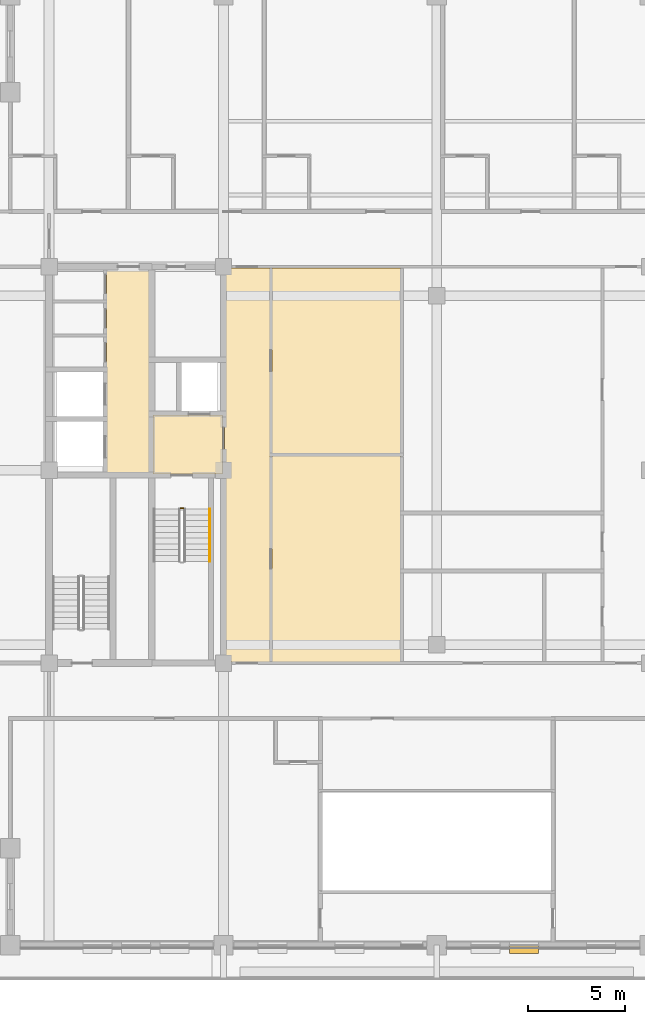
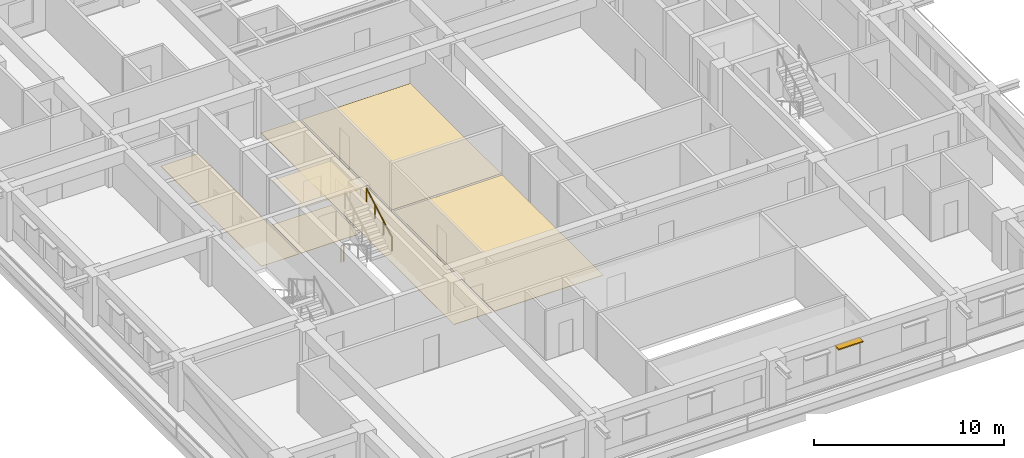
# One storey, part 11 of 14: 6 coverings, 2 railings, 1 shading device.
"""IFC4 building model written with IfcOpenShell, lengths in metres."""

from ifc_helpers import new_model, si_unit, direction, frame, frame_2d, origin, origin_2d, place, context, subcontext, project, spatial, polyline, rectangle, outline, extrude, material, layer, layer_set, type_object, element, save


model = new_model("IFC4")

# Units and contexts
model_context = context("Model", 3, precision=1e-05, world=origin(), true_north=direction((0.0, 1.0)))
body_context = subcontext(model_context, "Body", "Model", "MODEL_VIEW")
ifc_project = project(units=[si_unit("LENGTHUNIT", "METRE"), si_unit("AREAUNIT", "SQUARE_METRE"), si_unit("VOLUMEUNIT", "CUBIC_METRE"), si_unit("PLANEANGLEUNIT", "RADIAN"), si_unit("MASSUNIT", "GRAM", prefix="KILO")], contexts=[model_context])

# Site, building, storey
site_placement = place(None, origin())
site = spatial("IfcSite", under=ifc_project, at=site_placement, CompositionType="ELEMENT")
building_placement = place(site_placement, origin())
building = spatial("IfcBuilding", under=site, at=building_placement, Name="Zulmaris Gate Convention Tower", CompositionType="ELEMENT")
storey_placement = place(building_placement, frame((0.0, 0.0, 215.260009765625)))
storey = spatial("IfcBuildingStorey", under=building, at=storey_placement, Name="L56", CompositionType="ELEMENT", Elevation=215.260009765625)

# Coverings
ifc_material_1 = material(Name="Mineral Fibre Acoustic Ceiling Tile")
ifc_layer_1 = layer(ifc_material_1, 0.02001953125, Name="Mineral Fibre Acoustic Ceiling Tile")
ifc_layer_set_1 = layer_set([ifc_layer_1], Name="Mineral Fibre Acoustic Ceiling Tile")
covering_type_1 = type_object("IfcCoveringType", Name="CLG-ACOUSTIC-600", PredefinedType="CEILING", material=ifc_layer_set_1)
covering_1_placement = place(storey_placement, frame((0.0, 0.0, 2.869873046875)))
element("IfcCovering", 1, at=covering_1_placement, inside=storey, type_object=covering_type_1, Name="CLG-L56-R03", PredefinedType="CEILING", context=body_context, shape_type="SweptSolid", body=[
    extrude(outline(polyline([(-14.639892578125, -0.18994140625), (-11.06005859375, -0.18994140625), (-11.06005859375, 2.840087890625), (-14.639892578125, 2.840087890625), (-14.639892578125, -0.18994140625)])), origin(), (0.0, 0.0, 1.0), 0.02001953125),
])
ifc_material_2 = material(Name="Woven Acoustic Wool Carpet Tile")
ifc_layer_2 = layer(ifc_material_2, 0.02001953125, Name="Woven Acoustic Wool Carpet Tile")
ifc_layer_set_2 = layer_set([ifc_layer_2], Name="Woven Acoustic Wool Carpet Tile")
covering_type_2 = type_object("IfcCoveringType", Name="FLR-CARPET-12", PredefinedType="FLOORING", material=ifc_layer_set_2)
covering_2_placement = place(storey_placement, origin())
element("IfcCovering", 2, at=covering_2_placement, inside=storey, type_object=covering_type_2, Name="FLR-L56-R03", PredefinedType="FLOORING", context=body_context, shape_type="SweptSolid", body=[
    extrude(outline(polyline([(-14.639892578125, -0.18994140625), (-11.06005859375, -0.18994140625), (-11.06005859375, 2.840087890625), (-14.639892578125, 2.840087890625), (-14.639892578125, -0.18994140625)])), origin(), (0.0, 0.0, 1.0), 0.02001953125),
])
covering_3_placement = place(storey_placement, origin())
element("IfcCovering", 3, at=covering_3_placement, inside=storey, type_object=covering_type_2, Name="FLR-L56-R18", PredefinedType="FLOORING", context=body_context, shape_type="SweptSolid", body=[
    extrude(outline(polyline([(-17.0400390625, -0.18994140625), (-14.760009765625, -0.18994140625), (-14.760009765625, 10.43994140625), (-17.0400390625, 10.43994140625), (-17.0400390625, -0.18994140625)])), origin(), (0.0, 0.0, 1.0), 0.02001953125),
])
covering_4_placement = place(storey_placement, origin())
element("IfcCovering", 4, at=covering_4_placement, inside=storey, type_object=covering_type_2, Name="FLR-L56-R33", PredefinedType="FLOORING", context=body_context, shape_type="SweptSolid", body=[
    extrude(outline(polyline([(-10.93994140625, -9.889892578125), (-8.610107421875, -9.889892578125), (-8.610107421875, 10.43994140625), (-10.93994140625, 10.43994140625), (-10.93994140625, -9.889892578125)])), origin(), (0.0, 0.0, 1.0), 0.02001953125),
])
covering_5_placement = place(storey_placement, origin())
element("IfcCovering", 5, at=covering_5_placement, inside=storey, type_object=covering_type_2, Name="FLR-L56-R52", PredefinedType="FLOORING", context=body_context, shape_type="SweptSolid", body=[
    extrude(outline(polyline([(-8.489990234375, -9.889892578125), (-1.860107421875, -9.889892578125), (-1.860107421875, 0.739990234375), (-8.489990234375, 0.739990234375), (-8.489990234375, -9.889892578125)])), origin(), (0.0, 0.0, 1.0), 0.02001953125),
])
ifc_material_3 = material(Name="Engineered Teak Parquet Flooring")
ifc_layer_3 = layer(ifc_material_3, 0.02001953125, Name="Engineered Teak Parquet Flooring")
ifc_layer_set_3 = layer_set([ifc_layer_3], Name="Engineered Teak Parquet Flooring")
covering_type_3 = type_object("IfcCoveringType", Name="FLR-TIMBER-18", PredefinedType="FLOORING", material=ifc_layer_set_3)
covering_6_placement = place(storey_placement, origin())
element("IfcCovering", 6, at=covering_6_placement, inside=storey, type_object=covering_type_3, Name="FLR-L56-R51", PredefinedType="FLOORING", context=body_context, shape_type="SweptSolid", body=[
    extrude(outline(polyline([(-8.489990234375, 0.860107421875), (-1.860107421875, 0.860107421875), (-1.860107421875, 10.43994140625), (-8.489990234375, 10.43994140625), (-8.489990234375, 0.860107421875)])), origin(), (0.0, 0.0, 1.0), 0.02001953125),
])

# Railings
ifc_material_4 = material(Name="Painted Galvanised Steel", Category="steel")
railing_type_1 = type_object("IfcRailingType", Name="RL-STG-1150", PredefinedType="GUARDRAIL", material=ifc_material_4)
railing_1_placement = place(storey_placement, frame((-13.219970703125, -1.949951171875, 0.0)))
element("IfcRailing", 7, at=railing_1_placement, inside=storey, type_object=railing_type_1, Name="L56 ST-1 stair guard 4", PredefinedType="GUARDRAIL", context=body_context, shape_type="SweptSolid", body=[
    extrude(rectangle(XDim=0.048095703125, YDim=0.048095703125, at=origin_2d()), frame((0.0, 0.0, 1.076171875), z_axis=(1.0, 0.0, 0.0), x_axis=(0.0, 1.0, 0.0)), (0.0, 0.0, 1.0), 0.159912109375),
    extrude(rectangle(XDim=0.0419921875, YDim=0.0419921875, at=origin_2d()), origin(), (0.0, 0.0, 1.0), 1.052001953125),
    extrude(rectangle(XDim=0.0419921875, YDim=0.0419921875, at=origin_2d()), frame((0.159912109375, 0.0, 0.0)), (0.0, 0.0, 1.0), 1.052001953125),
])
ifc_material_5 = material(Name="Brushed Stainless Steel", Category="steel")
railing_type_2 = type_object("IfcRailingType", Name="RL-STH-900", PredefinedType="HANDRAIL", material=ifc_material_5)
railing_2_placement = place(storey_placement, frame((-11.7099609375, -4.699951171875, 1.869873046875)))
element("IfcRailing", 8, at=railing_2_placement, inside=storey, type_object=railing_type_2, Name="L56 ST-1 stair handrail 2", PredefinedType="HANDRAIL", context=body_context, shape_type="SweptSolid", body=[
    extrude(rectangle(XDim=0.048095703125, YDim=0.048095703125, at=origin_2d()), frame((0.0, 0.0, 0.8759765625), z_axis=(0.0, 0.870014312096, 0.49302646658), x_axis=(-1.0, 0.0, 0.0)), (0.0, 0.0, 1.0), 3.103271484375),
    extrude(rectangle(XDim=0.0419921875, YDim=0.0419921875, at=origin_2d()), origin(), (0.0, 0.0, 1.0), 0.851806640625),
    extrude(rectangle(XDim=0.0419921875, YDim=0.0419921875, at=origin_2d()), frame((0.0, 0.89990234375, 0.510009765625)), (0.0, 0.0, 1.0), 0.851806640625),
    extrude(rectangle(XDim=0.0419921875, YDim=0.0419921875, at=origin_2d()), frame((0.0, 1.800048828125, 1.02001953125)), (0.0, 0.0, 1.0), 0.851806640625),
    extrude(rectangle(XDim=0.0419921875, YDim=0.0419921875, at=origin_2d()), frame((0.0, 2.699951171875, 1.530029296875)), (0.0, 0.0, 1.0), 0.851806640625),
])

# Shading device
ifc_material_6 = material(Name="Glazed Ceramic Terracotta", Category="masonry")
ifc_layer_4 = layer(ifc_material_6, 0.070068359375, Name="Glazed Ceramic Terracotta")
ifc_layer_set_4 = layer_set([ifc_layer_4], Name="Glazed Ceramic Terracotta")
shading_device_type = type_object("IfcShadingDeviceType", Name="SHD-SUNSHADE-TC", PredefinedType="AWNING", material=ifc_layer_set_4)
shading_device_placement = place(storey_placement, frame((3.756103515625, -24.719970703125, 2.35009765625), z_axis=(0.0, 0.0, 1.0), x_axis=(1.0, 0.0, 0.0)))
element("IfcShadingDevice", 9, at=shading_device_placement, inside=storey, type_object=shading_device_type, Name="SHD-EW-L56-S-2_0-2", PredefinedType="AWNING", context=body_context, shape_type="SweptSolid", body=[
    extrude(rectangle(XDim=1.5, YDim=0.43994140625, at=frame_2d((0.75, 0.0))), origin(), (0.0, 0.0, 1.0), 0.06982421875),
])

save(model, "model.ifc")
